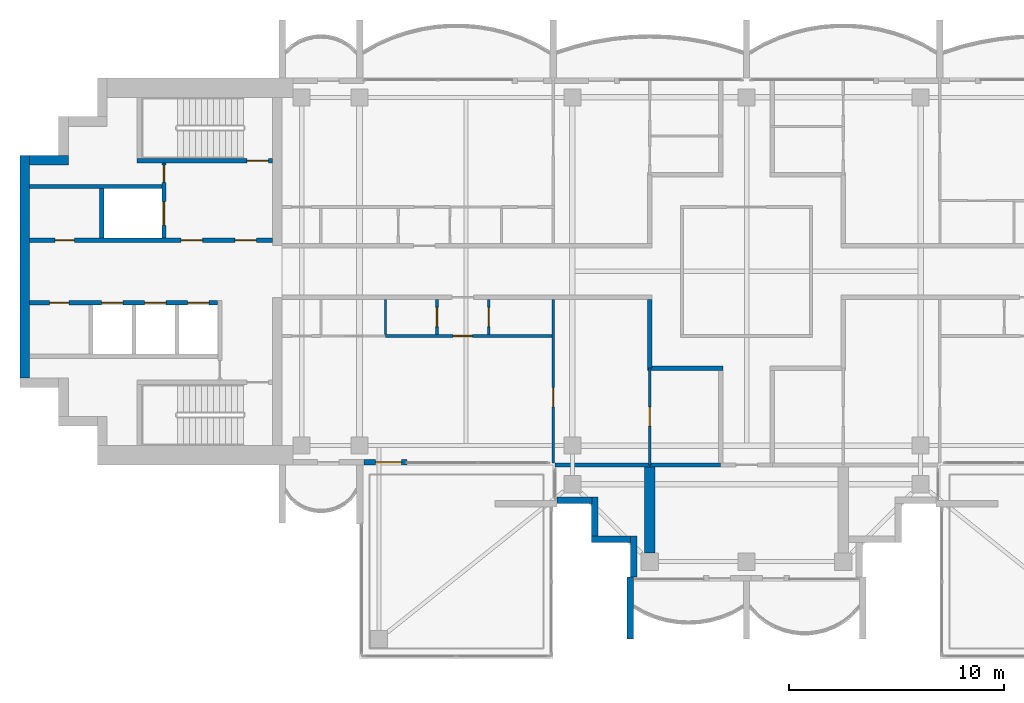
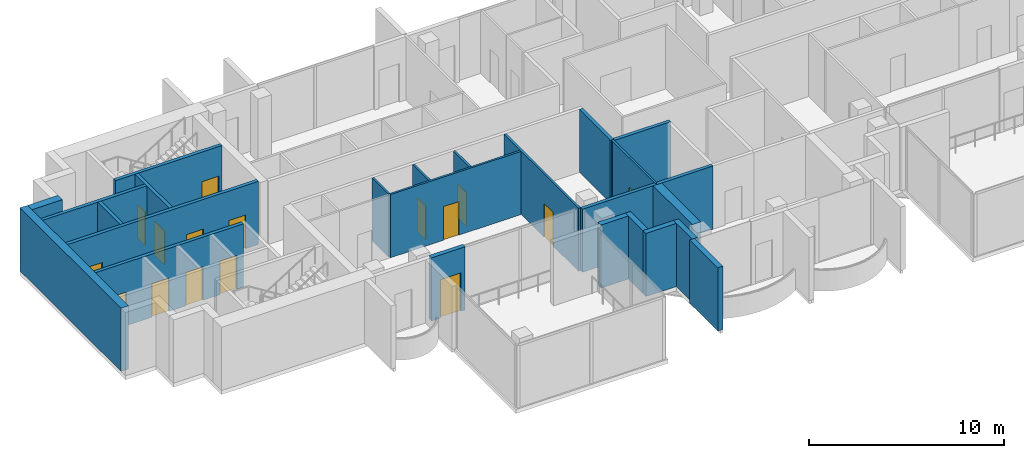
# One storey, part 7 of 16: 24 walls, 16 doors, 16 openings.
"""IFC4 building model written with IfcOpenShell, lengths in metres."""

import ifcopenshell
import ifcopenshell.guid

model = None  # the IFC model being written
_history = None  # IfcOwnerHistory: only IFC2X3 demands one
_inside = {}  # id of a spatial element -> (the spatial element, [elements in it])
_under = {}  # id of a project, library or spatial element -> (it, [spatial elements below it])
_declared = {}  # id of a project -> (the project, [libraries it declares])
_typed = {}  # id of a type object -> (the type object, [elements of that type])
_made_of = {}  # id of a material, layer set ... -> (it, [elements and type objects made of it])


def new_model(schema):
    """Start an empty IFC model of exactly this schema.

    Asked for "IFC4X3", IfcOpenShell would pick the latest addendum, in which some entities
    have other attributes; the version numbers below select the first issue.
    IFC2X3 requires an IfcOwnerHistory on every rooted entity: one is made here for all.
    """
    global model, _history
    if schema == "IFC4X3":
        model = ifcopenshell.file(schema_version=(4, 3, 0, 0))
    else:
        model = ifcopenshell.file(schema=schema)
    _inside.clear()
    _under.clear()
    _declared.clear()
    _typed.clear()
    _made_of.clear()
    _history = None
    if model.schema == "IFC2X3":
        org = make("IfcOrganization", Name="unknown")
        user = make(
            "IfcPersonAndOrganization",
            ThePerson=make("IfcPerson", FamilyName="unknown"),
            TheOrganization=org,
        )
        app = make(
            "IfcApplication",
            ApplicationDeveloper=org,
            Version="unknown",
            ApplicationFullName="unknown",
            ApplicationIdentifier="unknown",
        )
        _history = make(
            "IfcOwnerHistory",
            OwningUser=user,
            OwningApplication=app,
            ChangeAction="ADDED",
            CreationDate=0,
        )
    return model


def make(cls, **values):
    """One entity of the class cls with the attributes given. An attribute that is None is left unset."""
    return model.create_entity(
        cls, **{name: value for name, value in values.items() if value is not None}
    )


def rooted(cls, **values):
    """An entity with a GlobalId (a new one), such as an element, a storey or a relation."""
    return make(cls, GlobalId=ifcopenshell.guid.new(), OwnerHistory=_history, **values)


def si_unit(unit_type, name, prefix=None):
    """IfcSIUnit, for example si_unit("LENGTHUNIT", "METRE", prefix="MILLI")."""
    return make("IfcSIUnit", UnitType=unit_type, Prefix=prefix, Name=name)


def assignment(units):
    """IfcUnitAssignment: the units of a project."""
    return None if units is None else make("IfcUnitAssignment", Units=units)


def point(xyz):
    """IfcCartesianPoint."""
    return None if xyz is None else make("IfcCartesianPoint", Coordinates=xyz)


def direction(xyz):
    """IfcDirection."""
    return None if xyz is None else make("IfcDirection", DirectionRatios=xyz)


def frame(location, z_axis=None, x_axis=None):
    """IfcAxis2Placement3D, a coordinate frame: its origin and axes. An axis left out is left unset."""
    return make(
        "IfcAxis2Placement3D",
        Location=point(location),
        Axis=direction(z_axis),
        RefDirection=direction(x_axis),
    )


def frame_2d(location, x_axis=None):
    """IfcAxis2Placement2D, a coordinate frame in the plane: its origin and x axis."""
    return make(
        "IfcAxis2Placement2D", Location=point(location), RefDirection=direction(x_axis)
    )


def origin():
    """The frame at (0, 0, 0) with its axes left unset."""
    return frame((0.0, 0.0, 0.0))


def place(relative_to, where):
    """IfcLocalPlacement: puts the frame where relative to a parent placement (None: the world)."""
    return make(
        "IfcLocalPlacement", PlacementRelTo=relative_to, RelativePlacement=where
    )


def context(
    kind, dimensions, precision=None, world=None, true_north=None, identifier=None
):
    """IfcGeometricRepresentationContext, for example the 3D "Model" context."""
    return make(
        "IfcGeometricRepresentationContext",
        ContextIdentifier=identifier,
        ContextType=kind,
        CoordinateSpaceDimension=dimensions,
        Precision=precision,
        WorldCoordinateSystem=world,
        TrueNorth=true_north,
    )


def subcontext(parent, identifier, kind, view, scale=None):
    """IfcGeometricRepresentationSubContext, for example "Body" below "Model"."""
    return make(
        "IfcGeometricRepresentationSubContext",
        ContextIdentifier=identifier,
        ContextType=kind,
        ParentContext=parent,
        TargetScale=scale,
        TargetView=view,
    )


def project(units=None, contexts=None):
    """IfcProject with its units and contexts."""
    return rooted(
        "IfcProject",
        Name="project",
        RepresentationContexts=contexts,
        UnitsInContext=assignment(units),
    )


def spatial(cls, under=None, at=None, **own):
    """A site, building, storey or space (cls), placed at a placement, below another one or the project."""
    s = rooted(cls, ObjectPlacement=at, **own)
    if under is not None:
        _under.setdefault(under.id(), (under, []))[1].append(s)
    return s


def polyline(points):
    """IfcPolyline through the points."""
    return make("IfcPolyline", Points=[point(p) for p in points])


def profile(cls, at=None, kind="AREA", **sizes):
    """A parametric profile (cls). Its sizes go by their IFC names, for example OverallWidth=200.0."""
    return make(cls, ProfileType=kind, Position=at, **sizes)


def rectangle(**sizes):
    """IfcRectangleProfileDef."""
    return profile("IfcRectangleProfileDef", **sizes)


def outline(outer, holes=None, kind="AREA"):
    """IfcArbitraryClosedProfileDef: a profile drawn as a closed curve; with holes, ...WithVoids."""
    if holes is None:
        return make("IfcArbitraryClosedProfileDef", ProfileType=kind, OuterCurve=outer)
    return make(
        "IfcArbitraryProfileDefWithVoids",
        ProfileType=kind,
        OuterCurve=outer,
        InnerCurves=holes,
    )


def extrude(swept, where, along, depth):
    """IfcExtrudedAreaSolid: the profile swept, set in the frame where, extruded along a direction by depth."""
    return make(
        "IfcExtrudedAreaSolid",
        SweptArea=swept,
        Position=where,
        ExtrudedDirection=direction(along),
        Depth=depth,
    )


def shape(context_of_items, identifier, shape_type, items):
    """IfcShapeRepresentation: the items that make up one representation, for example the "Body"."""
    return make(
        "IfcShapeRepresentation",
        ContextOfItems=context_of_items,
        RepresentationIdentifier=identifier,
        RepresentationType=shape_type,
        Items=items,
    )


def material(Name=None, Category=None):
    """IfcMaterial."""
    return make("IfcMaterial", Name=Name, Category=Category)


def layer(
    of_material, thickness, ventilated=None, Name=None, Category=None, Priority=None
):
    """IfcMaterialLayer: one layer of a wall or slab, of a material (None: an air gap)."""
    return make(
        "IfcMaterialLayer",
        Material=of_material,
        LayerThickness=thickness,
        IsVentilated=ventilated,
        Name=Name,
        Category=Category,
        Priority=Priority,
    )


def layer_set(layers, Name=None):
    """IfcMaterialLayerSet."""
    return make("IfcMaterialLayerSet", MaterialLayers=layers, LayerSetName=Name)


def material_profile(
    of_material, cross_section, Name=None, Category=None, Priority=None
):
    """IfcMaterialProfile: a cross section and its material."""
    return make(
        "IfcMaterialProfile",
        Name=Name,
        Material=of_material,
        Profile=cross_section,
        Priority=Priority,
        Category=Category,
    )


def profile_set(profiles, Name=None, composite=None):
    """IfcMaterialProfileSet."""
    return make(
        "IfcMaterialProfileSet",
        Name=Name,
        MaterialProfiles=profiles,
        CompositeProfile=composite,
    )


def made_of(thing, what):
    """Note that an element or type object is made of a material, layer set ...; save() writes the relation."""
    if what is not None:
        _made_of.setdefault(what.id(), (what, []))[1].append(thing)
    return thing


def type_object(cls, material=None, **own):
    """A type object (cls), such as IfcWallType, which elements share."""
    return made_of(rooted(cls, **own), material)


def element(
    cls,
    number,
    at=None,
    inside=None,
    cuts=None,
    type_object=None,
    material=None,
    context=None,
    identifier="Body",
    shape_type=None,
    held_by="IfcProductDefinitionShape",
    body=None,
    shapes=None,
    **own,
):
    """One element of the class cls, such as IfcWall. Its Tag is "e" and its number.

    at: its placement. inside: the storey or other place that contains it. cuts: it is an
    opening in that element (IfcRelVoidsElement). A single representation is given by context,
    identifier, shape_type and body (its items); several are given by shapes. held_by: the class
    of the entity that holds the representations. save() writes the other relations.
    """
    e = rooted(cls, Tag="e%d" % number, ObjectPlacement=at, **own)
    if body is not None:
        shapes = [shape(context, identifier, shape_type, body)]
    if shapes is not None:
        e.Representation = make(held_by, Representations=shapes)
    if inside is not None:
        _inside.setdefault(inside.id(), (inside, []))[1].append(e)
    if cuts is not None:
        rooted(
            "IfcRelVoidsElement", RelatingBuildingElement=cuts, RelatedOpeningElement=e
        )
    if type_object is not None:
        _typed.setdefault(type_object.id(), (type_object, []))[1].append(e)
    return made_of(e, material)


def fill(opening, filler):
    """IfcRelFillsElement: the door or window that sits in an opening."""
    return rooted(
        "IfcRelFillsElement",
        RelatingOpeningElement=opening,
        RelatedBuildingElement=filler,
    )


def aggregate(whole, parts):
    """IfcRelAggregates: a whole, such as a stair, and the parts it consists of."""
    return rooted("IfcRelAggregates", RelatingObject=whole, RelatedObjects=parts)


def save(model, path):
    """Write the relations noted so far, then the file.

    IfcRelAggregates (storeys below a building ...), IfcRelContainedInSpatialStructure (elements
    in a storey), IfcRelDefinesByType, IfcRelAssociatesMaterial and IfcRelDeclares: one each for
    every whole, place, type object, material and project.
    """
    for whole, parts in _under.values():
        aggregate(whole, parts)
    for where, things in _inside.values():
        rooted(
            "IfcRelContainedInSpatialStructure",
            RelatedElements=things,
            RelatingStructure=where,
        )
    for kind, things in _typed.values():
        rooted("IfcRelDefinesByType", RelatedObjects=things, RelatingType=kind)
    for what, things in _made_of.values():
        rooted("IfcRelAssociatesMaterial", RelatedObjects=things, RelatingMaterial=what)
    for by, libraries in _declared.values():
        rooted("IfcRelDeclares", RelatingContext=by, RelatedDefinitions=libraries)
    model.write(path)


model = new_model("IFC4")

# Units and contexts
model_context = context("Model", 3, precision=1e-05, world=origin(), true_north=direction((0.0, 1.0)))
body_context = subcontext(model_context, "Body", "Model", "MODEL_VIEW")
ifc_project = project(units=[si_unit("LENGTHUNIT", "METRE"), si_unit("AREAUNIT", "SQUARE_METRE"), si_unit("VOLUMEUNIT", "CUBIC_METRE"), si_unit("PLANEANGLEUNIT", "RADIAN"), si_unit("MASSUNIT", "GRAM", prefix="KILO")], contexts=[model_context])

# Site, building, storey
site_placement = place(None, origin())
site = spatial("IfcSite", under=ifc_project, at=site_placement, CompositionType="ELEMENT")
building_placement = place(site_placement, origin())
building = spatial("IfcBuilding", under=site, at=building_placement, Name="Perihelion Cross Residences", CompositionType="ELEMENT")
storey_placement = place(building_placement, frame((0.0, 0.0, 294.60009765625)))
storey = spatial("IfcBuildingStorey", under=building, at=storey_placement, Name="L75", CompositionType="ELEMENT", Elevation=294.60009765625)

# Walls
ifc_material_1 = material(Name="Plasterboard partition")
ifc_layer_1 = layer(ifc_material_1, 0.199951171875)
ifc_layer_set_1 = layer_set([ifc_layer_1], Name="Apartment separation wall 200")
wall_type_1 = type_object("IfcWallType", Name="Apartment separation wall 200", PredefinedType="PARTITIONING", material=ifc_layer_set_1)
wall_1_placement = place(storey_placement, frame((-4.5, -4.5, 0.0), z_axis=(0.0, 0.0, 1.0), x_axis=(0.0, 1.0, 0.0)))
element("IfcWall", 1, at=wall_1_placement, inside=storey, type_object=wall_type_1, Name="Partition L75 W018", PredefinedType="PARTITIONING", context=body_context, shape_type="SweptSolid", body=[
    extrude(rectangle(XDim=3.199951171875, YDim=0.199951171875, at=frame_2d((1.60009765625, 0.0))), origin(), (0.0, 0.0, 1.0), 3.949951171875),
])
wall_2_placement = place(storey_placement, frame((-1.10009765625, -4.5, 0.0), z_axis=(0.0, 0.0, 1.0), x_axis=(-1.0, 0.0, 0.0)))
element("IfcWall", 2, at=wall_2_placement, inside=storey, type_object=wall_type_1, Name="Partition L75 W020", PredefinedType="PARTITIONING", context=body_context, shape_type="SweptSolid", body=[
    extrude(rectangle(XDim=3.5, YDim=0.199951171875, at=frame_2d((1.75, 0.0))), origin(), (0.0, 0.0, 1.0), 3.949951171875),
])
wall_3_placement = place(storey_placement, frame((-1.199951171875, -9.0, 0.0), z_axis=(0.0, 0.0, 1.0), x_axis=(-1.0, 0.0, 0.0)))
element("IfcWall", 3, at=wall_3_placement, inside=storey, type_object=wall_type_1, Name="Partition L75 W067", PredefinedType="PARTITIONING", context=body_context, shape_type="SweptSolid", body=[
    extrude(rectangle(XDim=7.719970703125, YDim=0.199951171875, at=frame_2d((3.85986328125, 0.0))), origin(), (0.0, 0.0, 1.0), 3.949951171875),
])

# Wall, opening, door
ifc_material_2 = material(Name="Concrete C30/37, bronze-clad", Category="concrete")
ifc_layer_2 = layer(ifc_material_2, 0.25)
ifc_layer_set_2 = layer_set([ifc_layer_2], Name="Bronze-clad pier wall 250")
wall_type_2 = type_object("IfcWallType", Name="Bronze-clad pier wall 250", PredefinedType="SOLIDWALL", material=ifc_layer_set_2)
wall_4_placement = place(storey_placement, frame((-17.800048828125, -8.875, 0.0), z_axis=(0.0, 0.0, 1.0), x_axis=(1.0, 0.0, 0.0)))
wall_4 = element("IfcWall", 4, at=wall_4_placement, inside=storey, type_object=wall_type_2, Name="Wall FW1 L75 west side south bay 2 pier", PredefinedType="SOLIDWALL", context=body_context, shape_type="SweptSolid", body=[
    extrude(rectangle(XDim=2.0, YDim=0.25, at=frame_2d((1.0, 0.0))), origin(), (0.0, 0.0, 1.0), 3.949951171875),
])
opening_1_placement = place(wall_4_placement, frame((0.550048828125, 0.0, 0.0)))
opening_1 = element("IfcOpeningElement", 5, at=opening_1_placement, cuts=wall_4, Name="Opening L75.E08", PredefinedType="OPENING", context=body_context, shape_type="SweptSolid", body=[
    extrude(rectangle(XDim=1.199951171875, YDim=2.39990234375, at=frame_2d((0.60009765625, 1.199951171875))), frame((0.0, 0.135009765625, 0.0), z_axis=(0.0, -1.0, 0.0), x_axis=(1.0, 0.0, 0.0)), (0.0, 0.0, 1.0), 0.27001953125),
])
ifc_material_3 = material(Name="Bronze anodised aluminium, glazed", Category="aluminium")
door_type_1 = type_object("IfcDoorType", Name="Balcony door 1200 x 2400", OperationType="NOTDEFINED", PredefinedType="DOOR", material=ifc_material_3)
door_1_placement = place(opening_1_placement, origin())
door_1 = element("IfcDoor", 6, at=door_1_placement, inside=storey, type_object=door_type_1, Name="Door L75.E08 west side south bay 2", OperationType="SINGLE_SWING_RIGHT", OverallHeight=2.39990234375, OverallWidth=1.199951171875, PredefinedType="DOOR", context=body_context, shape_type="SweptSolid", body=[
    extrude(rectangle(XDim=1.199951171875, YDim=2.39990234375, at=frame_2d((0.60009765625, 1.199951171875))), frame((0.0, 0.02490234375, 0.0), z_axis=(0.0, -1.0, 0.0), x_axis=(1.0, 0.0, 0.0)), (0.0, 0.0, 1.0), 0.050048828125),
])
fill(opening_1, door_1)

# Walls
ifc_material_4 = material(Name="Concrete C30/37, bronze-clad", Category="concrete")
ifc_layer_3 = layer(ifc_material_4, 0.300048828125)
ifc_layer_set_3 = layer_set([ifc_layer_3], Name="Bronze-clad serration wall 300")
wall_type_3 = type_object("IfcWallType", Name="Bronze-clad serration wall 300", PredefinedType="SOLIDWALL", material=ifc_layer_set_3)
wall_5_placement = place(storey_placement, frame((-8.820068359375, -10.64990234375, 0.0), z_axis=(0.0, 0.0, 1.0), x_axis=(1.0, 0.0, 0.0)))
element("IfcWall", 7, at=wall_5_placement, inside=storey, type_object=wall_type_3, Name="Wall SR1 L75 south corner south-west 1", PredefinedType="SOLIDWALL", context=body_context, shape_type="SweptSolid", body=[
    extrude(rectangle(XDim=1.6201171875, YDim=0.300048828125, at=frame_2d((0.81005859375, 0.0))), origin(), (0.0, 0.0, 1.0), 3.949951171875),
])
for number, where, z_axis, x_axis, name in (
    (8, (-7.050048828125, -10.5, 0.0), (0.0, 0.0, 1.0), (0.0, -1.0, 0.0), "Wall SR1 L75 south corner south-west 2"),
    (9, (-7.199951171875, -12.449951171875, 0.0), (0.0, 0.0, 1.0), (1.0, 0.0, 0.0), "Wall SR1 L75 south corner south-west 3"),
):
    element("IfcWall", number, at=place(storey_placement, frame(where, z_axis=z_axis, x_axis=x_axis)), inside=storey, type_object=wall_type_3, Name=name, PredefinedType="SOLIDWALL", context=body_context, shape_type="SweptSolid", body=[
        extrude(rectangle(XDim=1.800048828125, YDim=0.300048828125, at=frame_2d((0.89990234375, 0.0))), origin(), (0.0, 0.0, 1.0), 3.949951171875),
    ])
wall_6_placement = place(storey_placement, frame((-5.25, -12.300048828125, 0.0), z_axis=(0.0, 0.0, 1.0), x_axis=(0.0, -1.0, 0.0)))
element("IfcWall", 10, at=wall_6_placement, inside=storey, type_object=wall_type_3, Name="Wall SR1 L75 south corner south-west 4", PredefinedType="SOLIDWALL", context=body_context, shape_type="SweptSolid", body=[
    extrude(rectangle(XDim=1.919921875, YDim=0.300048828125, at=frame_2d((0.9599609375, 0.0))), origin(), (0.0, 0.0, 1.0), 3.949951171875),
])
ifc_material_5 = material(Name="Concrete C60/75", Category="concrete")
ifc_layer_4 = layer(ifc_material_5, 0.449951171875)
ifc_layer_set_4 = layer_set([ifc_layer_4], Name="Core wall, outer 450")
wall_type_4 = type_object("IfcWallType", Name="Core wall, outer 450", PredefinedType="SHEAR", material=ifc_layer_set_4)
wall_7_placement = place(storey_placement, frame((-33.574951171875, -4.949951171875, 0.0), z_axis=(0.0, 0.0, 1.0), x_axis=(0.0, 1.0, 0.0)))
element("IfcWall", 11, at=wall_7_placement, inside=storey, type_object=wall_type_4, Name="West core core wall, outer", PredefinedType="SHEAR", context=body_context, shape_type="SweptSolid", body=[
    extrude(rectangle(XDim=10.349853515625, YDim=0.449951171875, at=frame_2d((5.1748046875, 0.0))), origin(), (0.0, 0.0, 1.0), 3.949951171875),
])
wall_8_placement = place(storey_placement, frame((-33.35009765625, 5.175048828125, 0.0), z_axis=(0.0, 0.0, 1.0), x_axis=(1.0, 0.0, 0.0)))
element("IfcWall", 12, at=wall_8_placement, inside=storey, type_object=wall_type_4, Name="West core core wall, outer", PredefinedType="SHEAR", context=body_context, shape_type="SweptSolid", body=[
    extrude(rectangle(XDim=1.800048828125, YDim=0.449951171875, at=frame_2d((0.89990234375, 0.0))), origin(), (0.0, 0.0, 1.0), 3.949951171875),
])

# Wall, opening, door
ifc_material_6 = material(Name="Plasterboard partition")
ifc_layer_5 = layer(ifc_material_6, 0.1201171875)
ifc_layer_set_5 = layer_set([ifc_layer_5], Name="Partition wall 120")
wall_type_5 = type_object("IfcWallType", Name="Partition wall 120", PredefinedType="PARTITIONING", material=ifc_layer_set_5)
wall_9_placement = place(storey_placement, frame((-12.0, -2.93994140625, 0.0), z_axis=(0.0, 0.0, 1.0), x_axis=(0.0, 1.0, 0.0)))
wall_9 = element("IfcWall", 13, at=wall_9_placement, inside=storey, type_object=wall_type_5, Name="Partition L75 W058", PredefinedType="PARTITIONING", context=body_context, shape_type="SweptSolid", body=[
    extrude(rectangle(XDim=1.639892578125, YDim=0.1201171875, at=frame_2d((0.81982421875, 0.0))), origin(), (0.0, 0.0, 1.0), 3.949951171875),
])
opening_2_placement = place(wall_9_placement, frame((0.3701171875, 0.0, 0.0)))
opening_2 = element("IfcOpeningElement", 14, at=opening_2_placement, cuts=wall_9, Name="Opening L75.A29", PredefinedType="OPENING", context=body_context, shape_type="SweptSolid", body=[
    extrude(rectangle(XDim=0.89990234375, YDim=2.10009765625, at=frame_2d((0.449951171875, 1.050048828125))), frame((0.0, 0.070068359375, 0.0), z_axis=(0.0, -1.0, 0.0), x_axis=(1.0, 0.0, 0.0)), (0.0, 0.0, 1.0), 0.14013671875),
])
ifc_material_7 = material(Name="Timber door leaf", Category="wood")
door_type_2 = type_object("IfcDoorType", Name="Interior room door 900 x 2100", OperationType="SINGLE_SWING_LEFT", PredefinedType="DOOR", material=ifc_material_7)
door_2_placement = place(opening_2_placement, origin())
door_2 = element("IfcDoor", 15, at=door_2_placement, inside=storey, type_object=door_type_2, Name="Door L75.A29", OperationType="SINGLE_SWING_RIGHT", OverallHeight=2.10009765625, OverallWidth=0.89990234375, PredefinedType="DOOR", context=body_context, shape_type="SweptSolid", body=[
    extrude(rectangle(XDim=0.89990234375, YDim=2.10009765625, at=frame_2d((0.449951171875, 1.050048828125))), frame((0.0, 0.02490234375, 0.0), z_axis=(0.0, -1.0, 0.0), x_axis=(1.0, 0.0, 0.0)), (0.0, 0.0, 1.0), 0.050048828125),
])
fill(opening_2, door_2)

wall_10_placement = place(storey_placement, frame((-8.93994140625, -3.0, 0.0), z_axis=(0.0, 0.0, 1.0), x_axis=(-1.0, 0.0, 0.0)))
wall_10 = element("IfcWall", 16, at=wall_10_placement, inside=storey, type_object=wall_type_5, Name="Partition L75 W059", PredefinedType="PARTITIONING", context=body_context, shape_type="SweptSolid", body=[
    extrude(rectangle(XDim=7.860107421875, YDim=0.1201171875, at=frame_2d((3.93017578125, 0.0))), origin(), (0.0, 0.0, 1.0), 3.949951171875),
])
opening_3_placement = place(wall_10_placement, frame((3.81005859375, 0.0, 0.0)))
opening_3 = element("IfcOpeningElement", 17, at=opening_3_placement, cuts=wall_10, Name="Opening L75.A31", PredefinedType="OPENING", context=body_context, shape_type="SweptSolid", body=[
    extrude(rectangle(XDim=0.89990234375, YDim=2.10009765625, at=frame_2d((0.449951171875, 1.050048828125))), frame((0.0, 0.070068359375, 0.0), z_axis=(0.0, -1.0, 0.0), x_axis=(1.0, 0.0, 0.0)), (0.0, 0.0, 1.0), 0.14013671875),
])
door_3_placement = place(opening_3_placement, origin())
door_3 = element("IfcDoor", 18, at=door_3_placement, inside=storey, type_object=door_type_2, Name="Door L75.A31", OperationType="SINGLE_SWING_RIGHT", OverallHeight=2.10009765625, OverallWidth=0.89990234375, PredefinedType="DOOR", context=body_context, shape_type="SweptSolid", body=[
    extrude(rectangle(XDim=0.89990234375, YDim=2.10009765625, at=frame_2d((0.449951171875, 1.050048828125))), frame((0.0, 0.02490234375, 0.0), z_axis=(0.0, -1.0, 0.0), x_axis=(1.0, 0.0, 0.0)), (0.0, 0.0, 1.0), 0.050048828125),
])
fill(opening_3, door_3)

wall_11_placement = place(storey_placement, frame((-9.0, -1.300048828125, 0.0), z_axis=(0.0, 0.0, 1.0), x_axis=(0.0, -1.0, 0.0)))
wall_11 = element("IfcWall", 19, at=wall_11_placement, inside=storey, type_object=wall_type_5, Name="Partition L75 W060", PredefinedType="PARTITIONING", context=body_context, shape_type="SweptSolid", body=[
    extrude(rectangle(XDim=7.619873046875, YDim=0.1201171875, at=frame_2d((3.81005859375, 0.0))), origin(), (0.0, 0.0, 1.0), 3.949951171875),
])
opening_4_placement = place(wall_11_placement, frame((4.10009765625, 0.0, 0.0)))
opening_4 = element("IfcOpeningElement", 20, at=opening_4_placement, cuts=wall_11, Name="Opening L75.A32", PredefinedType="OPENING", context=body_context, shape_type="SweptSolid", body=[
    extrude(rectangle(XDim=0.89990234375, YDim=2.10009765625, at=frame_2d((0.449951171875, 1.050048828125))), frame((0.0, 0.070068359375, 0.0), z_axis=(0.0, -1.0, 0.0), x_axis=(1.0, 0.0, 0.0)), (0.0, 0.0, 1.0), 0.14013671875),
])
door_4_placement = place(opening_4_placement, origin())
door_4 = element("IfcDoor", 21, at=door_4_placement, inside=storey, type_object=door_type_2, Name="Door L75.A32", OperationType="SINGLE_SWING_RIGHT", OverallHeight=2.10009765625, OverallWidth=0.89990234375, PredefinedType="DOOR", context=body_context, shape_type="SweptSolid", body=[
    extrude(rectangle(XDim=0.89990234375, YDim=2.10009765625, at=frame_2d((0.449951171875, 1.050048828125))), frame((0.0, 0.02490234375, 0.0), z_axis=(0.0, -1.0, 0.0), x_axis=(1.0, 0.0, 0.0)), (0.0, 0.0, 1.0), 0.050048828125),
])
fill(opening_4, door_4)

wall_12_placement = place(storey_placement, frame((-14.39990234375, -2.93994140625, 0.0), z_axis=(0.0, 0.0, 1.0), x_axis=(0.0, 1.0, 0.0)))
wall_12 = element("IfcWall", 22, at=wall_12_placement, inside=storey, type_object=wall_type_5, Name="Partition L75 W061", PredefinedType="PARTITIONING", context=body_context, shape_type="SweptSolid", body=[
    extrude(rectangle(XDim=1.639892578125, YDim=0.1201171875, at=frame_2d((0.81982421875, 0.0))), origin(), (0.0, 0.0, 1.0), 3.949951171875),
])
opening_5_placement = place(wall_12_placement, frame((0.3701171875, 0.0, 0.0)))
opening_5 = element("IfcOpeningElement", 23, at=opening_5_placement, cuts=wall_12, Name="Opening L75.A33", PredefinedType="OPENING", context=body_context, shape_type="SweptSolid", body=[
    extrude(rectangle(XDim=0.89990234375, YDim=2.10009765625, at=frame_2d((0.449951171875, 1.050048828125))), frame((0.0, 0.070068359375, 0.0), z_axis=(0.0, -1.0, 0.0), x_axis=(1.0, 0.0, 0.0)), (0.0, 0.0, 1.0), 0.14013671875),
])
door_5_placement = place(opening_5_placement, origin())
door_5 = element("IfcDoor", 24, at=door_5_placement, inside=storey, type_object=door_type_2, Name="Door L75.A33", OperationType="SINGLE_SWING_LEFT", OverallHeight=2.10009765625, OverallWidth=0.89990234375, PredefinedType="DOOR", context=body_context, shape_type="SweptSolid", body=[
    extrude(rectangle(XDim=0.89990234375, YDim=2.10009765625, at=frame_2d((0.449951171875, 1.050048828125))), frame((0.0, 0.02490234375, 0.0), z_axis=(0.0, -1.0, 0.0), x_axis=(1.0, 0.0, 0.0)), (0.0, 0.0, 1.0), 0.050048828125),
])
fill(opening_5, door_5)

wall_13_placement = place(storey_placement, frame((-4.5, -4.5, 0.0), z_axis=(0.0, 0.0, 1.0), x_axis=(0.0, -1.0, 0.0)))
wall_13 = element("IfcWall", 25, at=wall_13_placement, inside=storey, type_object=wall_type_5, Name="Partition L75 W066", PredefinedType="PARTITIONING", context=body_context, shape_type="SweptSolid", body=[
    extrude(rectangle(XDim=4.5, YDim=0.1201171875, at=frame_2d((2.25, 0.0))), origin(), (0.0, 0.0, 1.0), 3.949951171875),
])
opening_6_placement = place(wall_13_placement, frame((1.800048828125, 0.0, 0.0)))
opening_6 = element("IfcOpeningElement", 26, at=opening_6_placement, cuts=wall_13, Name="Opening L75.A28", PredefinedType="OPENING", context=body_context, shape_type="SweptSolid", body=[
    extrude(rectangle(XDim=0.89990234375, YDim=2.10009765625, at=frame_2d((0.449951171875, 1.050048828125))), frame((0.0, 0.070068359375, 0.0), z_axis=(0.0, -1.0, 0.0), x_axis=(1.0, 0.0, 0.0)), (0.0, 0.0, 1.0), 0.14013671875),
])
door_6_placement = place(opening_6_placement, origin())
door_6 = element("IfcDoor", 27, at=door_6_placement, inside=storey, type_object=door_type_2, Name="Door L75.A28", OperationType="SINGLE_SWING_RIGHT", OverallHeight=2.10009765625, OverallWidth=0.89990234375, PredefinedType="DOOR", context=body_context, shape_type="SweptSolid", body=[
    extrude(rectangle(XDim=0.89990234375, YDim=2.10009765625, at=frame_2d((0.449951171875, 1.050048828125))), frame((0.0, 0.02490234375, 0.0), z_axis=(0.0, -1.0, 0.0), x_axis=(1.0, 0.0, 0.0)), (0.0, 0.0, 1.0), 0.050048828125),
])
fill(opening_6, door_6)

# Wall
ifc_material_8 = material(Name="Precast concrete C50/60", Category="concrete")
ifc_layer_6 = layer(ifc_material_8, 0.300048828125)
ifc_layer_set_6 = layer_set([ifc_layer_6], Name="Precast concrete C50/60 blade wall 300")
wall_type_6 = type_object("IfcWallType", Name="Precast concrete C50/60 blade wall 300", PredefinedType="SOLIDWALL", material=ifc_layer_set_6)
wall_14_placement = place(storey_placement, frame((-5.39990234375, -14.219970703125, 0.0), z_axis=(0.0, 0.0, 1.0), x_axis=(0.0, -1.0, 0.0)))
element("IfcWall", 28, at=wall_14_placement, inside=storey, type_object=wall_type_6, Name="Wall BL1 L75 no. 5", PredefinedType="SOLIDWALL", context=body_context, shape_type="SweptSolid", body=[
    extrude(rectangle(XDim=2.880126953125, YDim=0.300048828125, at=frame_2d((1.43994140625, 0.0))), origin(), (0.0, 0.0, 1.0), 3.949951171875),
])

# Wall, openings, doors
ifc_material_9 = material(Name="Concrete C50/60", Category="concrete")
ifc_layer_7 = layer(ifc_material_9, 0.199951171875)
ifc_layer_set_7 = layer_set([ifc_layer_7], Name="Shaft wall 200")
wall_type_7 = type_object("IfcWallType", Name="Shaft wall 200", PredefinedType="SOLIDWALL", material=ifc_layer_set_7)
wall_15_placement = place(storey_placement, frame((-33.35009765625, 1.449951171875, 0.0), z_axis=(0.0, 0.0, 1.0), x_axis=(1.0, 0.0, 0.0)))
wall_15 = element("IfcWall", 29, at=wall_15_placement, inside=storey, type_object=wall_type_7, Name="West core shaft wall", PredefinedType="SOLIDWALL", context=body_context, shape_type="SweptSolid", body=[
    extrude(rectangle(XDim=11.300048828125, YDim=0.199951171875, at=frame_2d((5.64990234375, 0.0))), origin(), (0.0, 0.0, 1.0), 3.949951171875),
])
opening_7_placement = place(wall_15_placement, frame((9.550048828125, 0.0, 0.0)))
opening_7 = element("IfcOpeningElement", 30, at=opening_7_placement, cuts=wall_15, Name="Opening L75.C19", PredefinedType="OPENING", context=body_context, shape_type="SweptSolid", body=[
    extrude(rectangle(XDim=1.0, YDim=2.10009765625, at=frame_2d((0.5, 1.050048828125))), frame((0.0, 0.10986328125, 0.0), z_axis=(0.0, -1.0, 0.0), x_axis=(1.0, 0.0, 0.0)), (0.0, 0.0, 1.0), 0.219970703125),
])
opening_8_placement = place(wall_15_placement, frame((7.050048828125, 0.0, 0.0)))
opening_8 = element("IfcOpeningElement", 31, at=opening_8_placement, cuts=wall_15, Name="Opening L75.C21", PredefinedType="OPENING", context=body_context, shape_type="SweptSolid", body=[
    extrude(rectangle(XDim=1.0, YDim=2.10009765625, at=frame_2d((0.5, 1.050048828125))), frame((0.0, 0.10986328125, 0.0), z_axis=(0.0, -1.0, 0.0), x_axis=(1.0, 0.0, 0.0)), (0.0, 0.0, 1.0), 0.219970703125),
])
opening_9_placement = place(wall_15_placement, frame((1.175048828125, 0.0, 0.0)))
opening_9 = element("IfcOpeningElement", 32, at=opening_9_placement, cuts=wall_15, Name="Opening L75.C23", PredefinedType="OPENING", context=body_context, shape_type="SweptSolid", body=[
    extrude(rectangle(XDim=0.89990234375, YDim=2.10009765625, at=frame_2d((0.449951171875, 1.050048828125))), frame((0.0, 0.10986328125, 0.0), z_axis=(0.0, -1.0, 0.0), x_axis=(1.0, 0.0, 0.0)), (0.0, 0.0, 1.0), 0.219970703125),
])
ifc_material_10 = material(Name="Steel, powder coated", Category="steel")
door_type_3 = type_object("IfcDoorType", Name="Lobby door 1000", OperationType="SINGLE_SWING_LEFT", PredefinedType="DOOR", material=ifc_material_10)
door_7_placement = place(opening_7_placement, origin())
door_7 = element("IfcDoor", 33, at=door_7_placement, inside=storey, type_object=door_type_3, Name="West core firefighting lobby door", OperationType="SINGLE_SWING_LEFT", OverallHeight=2.10009765625, OverallWidth=1.0, PredefinedType="DOOR", context=body_context, shape_type="SweptSolid", body=[
    extrude(rectangle(XDim=1.0, YDim=2.10009765625, at=frame_2d((0.5, 1.050048828125))), frame((0.0, 0.02490234375, 0.0), z_axis=(0.0, -1.0, 0.0), x_axis=(1.0, 0.0, 0.0)), (0.0, 0.0, 1.0), 0.050048828125),
])
fill(opening_7, door_7)
door_8_placement = place(opening_8_placement, origin())
door_8 = element("IfcDoor", 34, at=door_8_placement, inside=storey, type_object=door_type_3, Name="West core firefighting lobby door", OperationType="SINGLE_SWING_LEFT", OverallHeight=2.10009765625, OverallWidth=1.0, PredefinedType="DOOR", context=body_context, shape_type="SweptSolid", body=[
    extrude(rectangle(XDim=1.0, YDim=2.10009765625, at=frame_2d((0.5, 1.050048828125))), frame((0.0, 0.02490234375, 0.0), z_axis=(0.0, -1.0, 0.0), x_axis=(1.0, 0.0, 0.0)), (0.0, 0.0, 1.0), 0.050048828125),
])
fill(opening_8, door_8)
ifc_material_11 = material(Name="Steel, powder coated", Category="steel")
door_type_4 = type_object("IfcDoorType", Name="Service room door 900", OperationType="SINGLE_SWING_LEFT", PredefinedType="DOOR", material=ifc_material_11)
door_9_placement = place(opening_9_placement, origin())
door_9 = element("IfcDoor", 35, at=door_9_placement, inside=storey, type_object=door_type_4, Name="West core service room door", OperationType="SINGLE_SWING_LEFT", OverallHeight=2.10009765625, OverallWidth=0.89990234375, PredefinedType="DOOR", context=body_context, shape_type="SweptSolid", body=[
    extrude(rectangle(XDim=0.89990234375, YDim=2.10009765625, at=frame_2d((0.449951171875, 1.050048828125))), frame((0.0, 0.02490234375, 0.0), z_axis=(0.0, -1.0, 0.0), x_axis=(1.0, 0.0, 0.0)), (0.0, 0.0, 1.0), 0.050048828125),
])
fill(opening_9, door_9)

wall_16_placement = place(storey_placement, frame((-33.35009765625, -1.449951171875, 0.0), z_axis=(0.0, 0.0, 1.0), x_axis=(1.0, 0.0, 0.0)))
wall_16 = element("IfcWall", 36, at=wall_16_placement, inside=storey, type_object=wall_type_7, Name="West core shaft wall", PredefinedType="SOLIDWALL", context=body_context, shape_type="SweptSolid", body=[
    extrude(rectangle(XDim=8.75, YDim=0.199951171875, at=frame_2d((4.375, 0.0))), origin(), (0.0, 0.0, 1.0), 3.949951171875),
])
opening_10_placement = place(wall_16_placement, frame((7.35009765625, 0.0, 0.0)))
opening_10 = element("IfcOpeningElement", 37, at=opening_10_placement, cuts=wall_16, Name="Opening L75.C13", PredefinedType="OPENING", context=body_context, shape_type="SweptSolid", body=[
    extrude(rectangle(XDim=1.0, YDim=2.10009765625, at=frame_2d((0.5, 1.050048828125))), frame((0.0, 0.10986328125, 0.0), z_axis=(0.0, -1.0, 0.0), x_axis=(1.0, 0.0, 0.0)), (0.0, 0.0, 1.0), 0.219970703125),
])
opening_11_placement = place(wall_16_placement, frame((5.35009765625, 0.0, 0.0)))
opening_11 = element("IfcOpeningElement", 38, at=opening_11_placement, cuts=wall_16, Name="Opening L75.C15", PredefinedType="OPENING", context=body_context, shape_type="SweptSolid", body=[
    extrude(rectangle(XDim=1.0, YDim=2.10009765625, at=frame_2d((0.5, 1.050048828125))), frame((0.0, 0.10986328125, 0.0), z_axis=(0.0, -1.0, 0.0), x_axis=(1.0, 0.0, 0.0)), (0.0, 0.0, 1.0), 0.219970703125),
])
opening_12_placement = place(wall_16_placement, frame((3.35009765625, 0.0, 0.0)))
opening_12 = element("IfcOpeningElement", 39, at=opening_12_placement, cuts=wall_16, Name="Opening L75.C16", PredefinedType="OPENING", context=body_context, shape_type="SweptSolid", body=[
    extrude(rectangle(XDim=1.0, YDim=2.10009765625, at=frame_2d((0.5, 1.050048828125))), frame((0.0, 0.10986328125, 0.0), z_axis=(0.0, -1.0, 0.0), x_axis=(1.0, 0.0, 0.0)), (0.0, 0.0, 1.0), 0.219970703125),
])
opening_13_placement = place(wall_16_placement, frame((0.925048828125, 0.0, 0.0)))
opening_13 = element("IfcOpeningElement", 40, at=opening_13_placement, cuts=wall_16, Name="Opening L75.C24", PredefinedType="OPENING", context=body_context, shape_type="SweptSolid", body=[
    extrude(rectangle(XDim=0.89990234375, YDim=2.10009765625, at=frame_2d((0.449951171875, 1.050048828125))), frame((0.0, 0.10986328125, 0.0), z_axis=(0.0, -1.0, 0.0), x_axis=(1.0, 0.0, 0.0)), (0.0, 0.0, 1.0), 0.219970703125),
])
ifc_material_12 = material(Name="Stainless steel", Category="steel")
door_type_5 = type_object("IfcDoorType", Name="Landing door 1000", OperationType="DOUBLE_DOOR_SLIDING", PredefinedType="DOOR", material=ifc_material_12)
door_10_placement = place(opening_10_placement, origin())
door_10 = element("IfcDoor", 41, at=door_10_placement, inside=storey, type_object=door_type_5, Name="Landing door, West core high-rise lift 1", OperationType="DOUBLE_DOOR_SLIDING", OverallHeight=2.10009765625, OverallWidth=1.0, PredefinedType="DOOR", context=body_context, shape_type="SweptSolid", body=[
    extrude(rectangle(XDim=1.0, YDim=2.10009765625, at=frame_2d((0.5, 1.050048828125))), frame((0.0, 0.02490234375, 0.0), z_axis=(0.0, -1.0, 0.0), x_axis=(1.0, 0.0, 0.0)), (0.0, 0.0, 1.0), 0.050048828125),
])
fill(opening_10, door_10)
door_11_placement = place(opening_11_placement, origin())
door_11 = element("IfcDoor", 42, at=door_11_placement, inside=storey, type_object=door_type_5, Name="Landing door, West core high-rise lift 2", OperationType="DOUBLE_DOOR_SLIDING", OverallHeight=2.10009765625, OverallWidth=1.0, PredefinedType="DOOR", context=body_context, shape_type="SweptSolid", body=[
    extrude(rectangle(XDim=1.0, YDim=2.10009765625, at=frame_2d((0.5, 1.050048828125))), frame((0.0, 0.02490234375, 0.0), z_axis=(0.0, -1.0, 0.0), x_axis=(1.0, 0.0, 0.0)), (0.0, 0.0, 1.0), 0.050048828125),
])
fill(opening_11, door_11)
door_12_placement = place(opening_12_placement, origin())
door_12 = element("IfcDoor", 43, at=door_12_placement, inside=storey, type_object=door_type_5, Name="Landing door, West core high-rise lift 3", OperationType="DOUBLE_DOOR_SLIDING", OverallHeight=2.10009765625, OverallWidth=1.0, PredefinedType="DOOR", context=body_context, shape_type="SweptSolid", body=[
    extrude(rectangle(XDim=1.0, YDim=2.10009765625, at=frame_2d((0.5, 1.050048828125))), frame((0.0, 0.02490234375, 0.0), z_axis=(0.0, -1.0, 0.0), x_axis=(1.0, 0.0, 0.0)), (0.0, 0.0, 1.0), 0.050048828125),
])
fill(opening_12, door_12)
door_13_placement = place(opening_13_placement, origin())
door_13 = element("IfcDoor", 44, at=door_13_placement, inside=storey, type_object=door_type_4, Name="West core service room door", OperationType="SINGLE_SWING_LEFT", OverallHeight=2.10009765625, OverallWidth=0.89990234375, PredefinedType="DOOR", context=body_context, shape_type="SweptSolid", body=[
    extrude(rectangle(XDim=0.89990234375, YDim=2.10009765625, at=frame_2d((0.449951171875, 1.050048828125))), frame((0.0, 0.02490234375, 0.0), z_axis=(0.0, -1.0, 0.0), x_axis=(1.0, 0.0, 0.0)), (0.0, 0.0, 1.0), 0.050048828125),
])
fill(opening_13, door_13)

# Wall
wall_17_placement = place(storey_placement, frame((-33.35009765625, 3.949951171875, 0.0), z_axis=(0.0, 0.0, 1.0), x_axis=(1.0, 0.0, 0.0)))
element("IfcWall", 45, at=wall_17_placement, inside=storey, type_object=wall_type_7, Name="West core shaft wall", PredefinedType="SOLIDWALL", context=body_context, shape_type="SweptSolid", body=[
    extrude(rectangle(XDim=6.150146484375, YDim=0.199951171875, at=frame_2d((3.0751953125, 0.0))), origin(), (0.0, 0.0, 1.0), 3.949951171875),
])

# Wall, openings, doors
wall_18_placement = place(storey_placement, frame((-27.10009765625, 1.550048828125, 0.0), z_axis=(0.0, 0.0, 1.0), x_axis=(0.0, 1.0, 0.0)))
wall_18 = element("IfcWall", 46, at=wall_18_placement, inside=storey, type_object=wall_type_7, Name="West core shaft wall", PredefinedType="SOLIDWALL", context=body_context, shape_type="SweptSolid", body=[
    extrude(rectangle(XDim=3.5, YDim=0.199951171875, at=frame_2d((1.75, 0.0))), origin(), (0.0, 0.0, 1.0), 3.949951171875),
])
opening_14_placement = place(wall_18_placement, frame((0.60009765625, 0.0, 0.0)))
opening_14 = element("IfcOpeningElement", 47, at=opening_14_placement, cuts=wall_18, Name="Opening L75.C14", PredefinedType="OPENING", context=body_context, shape_type="SweptSolid", body=[
    extrude(rectangle(XDim=1.10009765625, YDim=2.10009765625, at=frame_2d((0.550048828125, 1.050048828125))), frame((0.0, 0.10986328125, 0.0), z_axis=(0.0, -1.0, 0.0), x_axis=(1.0, 0.0, 0.0)), (0.0, 0.0, 1.0), 0.219970703125),
])
opening_15_placement = place(wall_18_placement, frame((2.60009765625, 0.0, 0.0)))
opening_15 = element("IfcOpeningElement", 48, at=opening_15_placement, cuts=wall_18, Name="Opening L75.C22", PredefinedType="OPENING", context=body_context, shape_type="SweptSolid", body=[
    extrude(rectangle(XDim=0.800048828125, YDim=2.10009765625, at=frame_2d((0.39990234375, 1.050048828125))), frame((0.0, 0.10986328125, 0.0), z_axis=(0.0, -1.0, 0.0), x_axis=(1.0, 0.0, 0.0)), (0.0, 0.0, 1.0), 0.219970703125),
])
ifc_material_13 = material(Name="Stainless steel", Category="steel")
door_type_6 = type_object("IfcDoorType", Name="Landing door, firefighting lift 1100", OperationType="DOUBLE_DOOR_SLIDING", PredefinedType="DOOR", material=ifc_material_13)
door_14_placement = place(opening_14_placement, origin())
door_14 = element("IfcDoor", 49, at=door_14_placement, inside=storey, type_object=door_type_6, Name="Landing door, West core firefighting and service lift", OperationType="DOUBLE_DOOR_SLIDING", OverallHeight=2.10009765625, OverallWidth=1.10009765625, PredefinedType="DOOR", context=body_context, shape_type="SweptSolid", body=[
    extrude(rectangle(XDim=1.10009765625, YDim=2.10009765625, at=frame_2d((0.550048828125, 1.050048828125))), frame((0.0, 0.02490234375, 0.0), z_axis=(0.0, -1.0, 0.0), x_axis=(1.0, 0.0, 0.0)), (0.0, 0.0, 1.0), 0.050048828125),
])
fill(opening_14, door_14)
ifc_material_14 = material(Name="Steel, powder coated", Category="steel")
door_type_7 = type_object("IfcDoorType", Name="Riser door 800", OperationType="SINGLE_SWING_LEFT", PredefinedType="DOOR", material=ifc_material_14)
door_15_placement = place(opening_15_placement, origin())
door_15 = element("IfcDoor", 50, at=door_15_placement, inside=storey, type_object=door_type_7, Name="West core riser door", OperationType="SINGLE_SWING_LEFT", OverallHeight=2.10009765625, OverallWidth=0.800048828125, PredefinedType="DOOR", context=body_context, shape_type="SweptSolid", body=[
    extrude(rectangle(XDim=0.800048828125, YDim=2.10009765625, at=frame_2d((0.39990234375, 1.050048828125))), frame((0.0, 0.02490234375, 0.0), z_axis=(0.0, -1.0, 0.0), x_axis=(1.0, 0.0, 0.0)), (0.0, 0.0, 1.0), 0.050048828125),
])
fill(opening_15, door_15)

# Wall
wall_19_placement = place(storey_placement, frame((-30.0, 1.550048828125, 0.0), z_axis=(0.0, 0.0, 1.0), x_axis=(0.0, 1.0, 0.0)))
element("IfcWall", 51, at=wall_19_placement, inside=storey, type_object=wall_type_7, Name="West core shaft wall", PredefinedType="SOLIDWALL", context=body_context, shape_type="SweptSolid", body=[
    extrude(rectangle(XDim=2.300048828125, YDim=0.199951171875, at=frame_2d((1.14990234375, 0.0))), origin(), (0.0, 0.0, 1.0), 3.949951171875),
])

# Wall, opening, door
ifc_material_15 = material(Name="Concrete C50/60", Category="concrete")
ifc_layer_8 = layer(ifc_material_15, 0.199951171875)
ifc_layer_set_8 = layer_set([ifc_layer_8], Name="Stair wall 200")
wall_type_8 = type_object("IfcWallType", Name="Stair wall 200", PredefinedType="SOLIDWALL", material=ifc_layer_set_8)
wall_20_placement = place(storey_placement, frame((-28.35009765625, 5.14990234375, 0.0), z_axis=(0.0, 0.0, 1.0), x_axis=(1.0, 0.0, 0.0)))
wall_20 = element("IfcWall", 52, at=wall_20_placement, inside=storey, type_object=wall_type_8, Name="West core stair wall", PredefinedType="SOLIDWALL", context=body_context, shape_type="SweptSolid", body=[
    extrude(rectangle(XDim=6.300048828125, YDim=0.199951171875, at=frame_2d((3.14990234375, 0.0))), origin(), (0.0, 0.0, 1.0), 3.949951171875),
])
opening_16_placement = place(wall_20_placement, frame((5.10009765625, 0.0, 0.0)))
opening_16 = element("IfcOpeningElement", 53, at=opening_16_placement, cuts=wall_20, Name="Opening L75.C18", PredefinedType="OPENING", context=body_context, shape_type="SweptSolid", body=[
    extrude(rectangle(XDim=1.0, YDim=2.10009765625, at=frame_2d((0.5, 1.050048828125))), frame((0.0, 0.10986328125, 0.0), z_axis=(0.0, -1.0, 0.0), x_axis=(1.0, 0.0, 0.0)), (0.0, 0.0, 1.0), 0.219970703125),
])
ifc_material_16 = material(Name="Steel, powder coated", Category="steel")
door_type_8 = type_object("IfcDoorType", Name="Stair door 1000", OperationType="SINGLE_SWING_LEFT", PredefinedType="DOOR", material=ifc_material_16)
door_16_placement = place(opening_16_placement, origin())
door_16 = element("IfcDoor", 54, at=door_16_placement, inside=storey, type_object=door_type_8, Name="West core stair door", OperationType="SINGLE_SWING_LEFT", OverallHeight=2.10009765625, OverallWidth=1.0, PredefinedType="DOOR", context=body_context, shape_type="SweptSolid", body=[
    extrude(rectangle(XDim=1.0, YDim=2.10009765625, at=frame_2d((0.5, 1.050048828125))), frame((0.0, 0.02490234375, 0.0), z_axis=(0.0, -1.0, 0.0), x_axis=(1.0, 0.0, 0.0)), (0.0, 0.0, 1.0), 0.050048828125),
])
fill(opening_16, door_16)

# Walls
ifc_material_17 = material(Name="Concrete C50/60", Category="concrete")
ifc_material_profile = material_profile(ifc_material_17, outline(polyline([(0.0, 0.0), (4.10009765625, 0.0), (4.10009765625, 4.199951171875), (0.0, 4.199951171875), (0.0, 0.0)])), Name="Tip spine wall")
ifc_profile_set = profile_set([ifc_material_profile], Name="Concrete C50/60")
wall_type_9 = type_object("IfcWallType", Name="Tip spine wall 500 with 0 door openings 4100 long 4200 high concrete C50/60", PredefinedType="SHEAR", material=ifc_profile_set)
wall_21_placement = place(storey_placement, frame((-4.75, -13.10009765625, -0.25), z_axis=(1.0, 0.0, 0.0), x_axis=(0.0, 1.0, 0.0)))
element("IfcWall", 55, at=wall_21_placement, inside=storey, type_object=wall_type_9, Name="Shear wall SW48 L75 south west", PredefinedType="SHEAR", context=body_context, shape_type="SweptSolid", body=[
    extrude(outline(polyline([(0.0, 0.0), (4.10009765625, 0.0), (4.10009765625, 4.199951171875), (0.0, 4.199951171875), (0.0, 0.0)])), origin(), (0.0, 0.0, 1.0), 0.5),
])
ifc_material_18 = material(Name="Plasterboard partition")
ifc_layer_9 = layer(ifc_material_18, 0.10009765625)
ifc_layer_set_9 = layer_set([ifc_layer_9], Name="Wet room wall 100")
wall_type_10 = type_object("IfcWallType", Name="Wet room wall 100", PredefinedType="PARTITIONING", material=ifc_layer_set_9)
wall_22_placement = place(storey_placement, frame((-16.800048828125, -2.93994140625, 0.0), z_axis=(0.0, 0.0, 1.0), x_axis=(0.0, 1.0, 0.0)))
element("IfcWall", 56, at=wall_22_placement, inside=storey, type_object=wall_type_10, Name="Partition L75 W062", PredefinedType="PARTITIONING", context=body_context, shape_type="SweptSolid", body=[
    extrude(rectangle(XDim=1.639892578125, YDim=0.10009765625, at=frame_2d((0.81982421875, 0.0))), origin(), (0.0, 0.0, 1.0), 3.949951171875),
])

save(model, "model.ifc")
